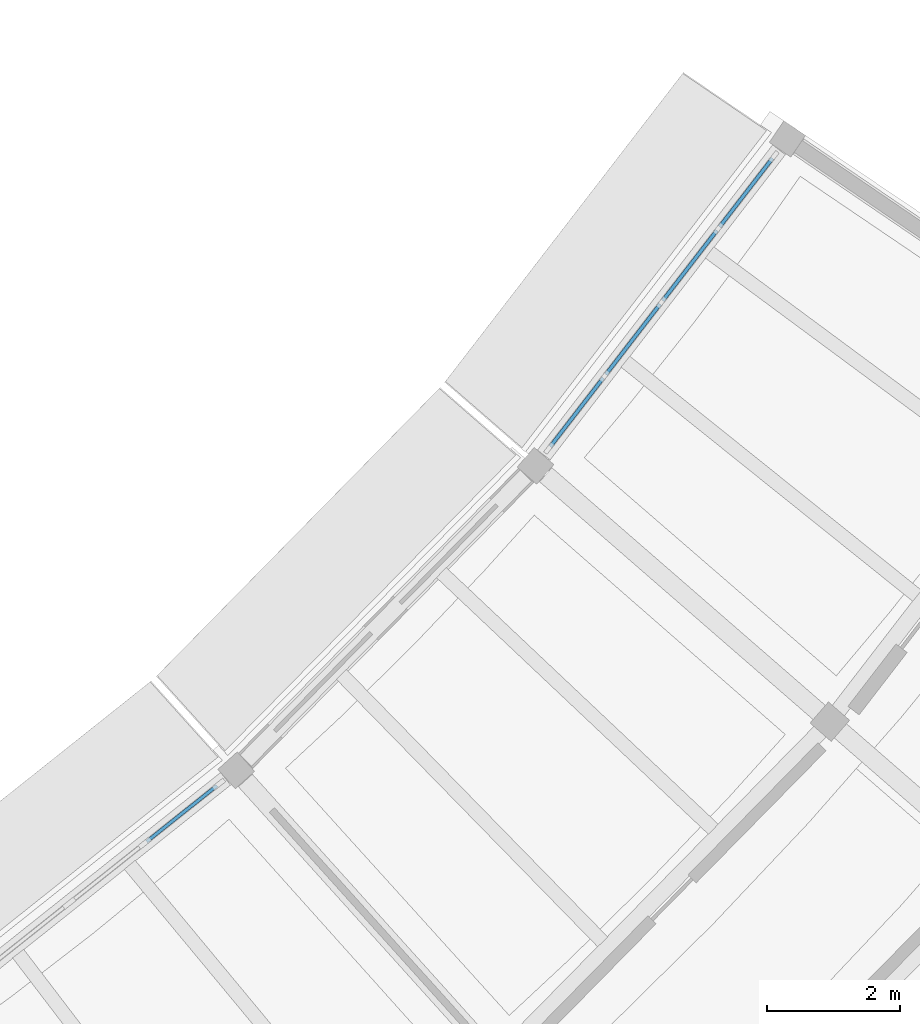
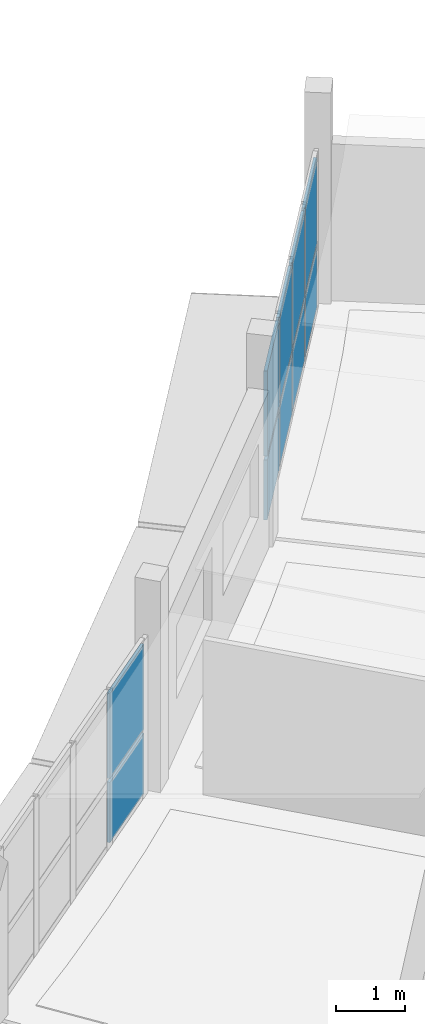
# One storey, part 49 of 77: 10 plates, 2 elements without a shape of their own.
"""IFC4 building model written with IfcOpenShell, lengths in metres."""

from ifc_helpers import new_model, si_unit, direction, frame, origin, origin_2d, place, context, subcontext, project, spatial, rectangle, extrude, material, layer, layer_set, type_object, element, aggregate, save


model = new_model("IFC4")

# Units and contexts
model_context = context("Model", 3, precision=1e-05, world=origin(), true_north=direction((0.0, 1.0)))
body_context = subcontext(model_context, "Body", "Model", "MODEL_VIEW")
ifc_project = project(units=[si_unit("LENGTHUNIT", "METRE"), si_unit("AREAUNIT", "SQUARE_METRE"), si_unit("VOLUMEUNIT", "CUBIC_METRE"), si_unit("PLANEANGLEUNIT", "RADIAN"), si_unit("MASSUNIT", "GRAM", prefix="KILO")], contexts=[model_context])

# Site, building, storey
site_placement = place(None, origin())
site = spatial("IfcSite", under=ifc_project, at=site_placement, CompositionType="ELEMENT")
building_placement = place(site_placement, origin())
building = spatial("IfcBuilding", under=site, at=building_placement, Name="Caldaven Crescent School", CompositionType="ELEMENT")
storey_placement = place(building_placement, frame((0.0, 0.0, 4.419921875)))
storey = spatial("IfcBuildingStorey", under=building, at=storey_placement, Name="L01", CompositionType="ELEMENT", Elevation=4.419921875)

# Curtain wall, plates
ifc_material_1 = material(Name="Anodised aluminium AA 6063-T6 and low-E double glazing", Category="aluminium")
ifc_layer_1 = layer(ifc_material_1, 0.2099609375)
ifc_layer_set_1 = layer_set([ifc_layer_1], Name="Anodised aluminium AA 6063-T6 and low-E double glazing")
curtain_wall_type_1 = type_object("IfcCurtainWallType", Name="CW-SYS3", PredefinedType="NOTDEFINED", material=ifc_layer_set_1)
curtain_wall_1_placement = place(storey_placement, origin())
curtain_wall_1 = element("IfcCurtainWall", 1, at=curtain_wall_1_placement, inside=storey, type_object=curtain_wall_type_1, Name="CW-L01-132", PredefinedType="NOTDEFINED")
ifc_material_2 = material(Name="Tempered low-E double glazing IGU", Category="glass")
ifc_layer_2 = layer(ifc_material_2, 0.050048828125)
ifc_layer_set_2 = layer_set([ifc_layer_2], Name="Tempered low-E double glazing IGU")
plate_type_1 = type_object("IfcPlateType", Name="PLT-CWP13", PredefinedType="CURTAIN_PANEL", material=ifc_layer_set_2)
plate_1_placement = place(storey_placement, frame((122.279541015625, 56.372802734375, 0.06494140625), z_axis=(0.0, 0.0, 1.0), x_axis=(0.782608055493, 0.622514764063, 0.0)))
plate_1 = element("IfcPlate", 2, at=plate_1_placement, type_object=plate_type_1, Name="CW3 panel 4.1", PredefinedType="CURTAIN_PANEL", context=body_context, shape_type="SweptSolid", body=[
    extrude(rectangle(XDim=1.345947265625, YDim=0.050048828125, at=origin_2d()), origin(), (0.0, 0.0, 1.0), 1.070556640625),
])
plate_2_placement = place(storey_placement, frame((122.279541015625, 56.372802734375, 1.20068359375), z_axis=(0.0, 0.0, 1.0), x_axis=(0.782608055493, 0.622514764063, 0.0)))
plate_2 = element("IfcPlate", 3, at=plate_2_placement, type_object=plate_type_1, Name="CW3 panel 4.2", PredefinedType="CURTAIN_PANEL", context=body_context, shape_type="SweptSolid", body=[
    extrude(rectangle(XDim=1.345947265625, YDim=0.050048828125, at=origin_2d()), origin(), (0.0, 0.0, 1.0), 1.514404296875),
])
aggregate(curtain_wall_1, [plate_1, plate_2])

ifc_layer_3 = layer(ifc_material_1, 0.169921875)
ifc_layer_set_3 = layer_set([ifc_layer_3], Name="Anodised aluminium AA 6063-T6 and low-E double glazing")
curtain_wall_type_2 = type_object("IfcCurtainWallType", Name="CW-SYS1", PredefinedType="NOTDEFINED", material=ifc_layer_set_3)
curtain_wall_2_placement = place(storey_placement, origin())
curtain_wall_2 = element("IfcCurtainWall", 4, at=curtain_wall_2_placement, inside=storey, type_object=curtain_wall_type_2, Name="CW-L01-134", PredefinedType="NOTDEFINED")
ifc_layer_4 = layer(ifc_material_2, 0.053955078125)
ifc_layer_set_4 = layer_set([ifc_layer_4], Name="Tempered low-E double glazing IGU")
plate_type_2 = type_object("IfcPlateType", Name="PLT-CWP15", PredefinedType="CURTAIN_PANEL", material=ifc_layer_set_4)
plate_3_placement = place(storey_placement, frame((128.2041015625, 62.3935546875, 0.070068359375), z_axis=(0.0, 0.0, 1.0), x_axis=(0.610386929383, 0.792103400093, 0.0)))
plate_3 = element("IfcPlate", 5, at=plate_3_placement, type_object=plate_type_2, Name="CW1 panel 1.1", PredefinedType="CURTAIN_PANEL", context=body_context, shape_type="SweptSolid", body=[
    extrude(rectangle(XDim=1.2998046875, YDim=0.053955078125, at=origin_2d()), origin(), (0.0, 0.0, 1.0), 1.06298828125),
])
plate_4_placement = place(storey_placement, frame((128.2041015625, 62.3935546875, 1.203125), z_axis=(0.0, 0.0, 1.0), x_axis=(0.610386929383, 0.792103400093, 0.0)))
plate_4 = element("IfcPlate", 6, at=plate_4_placement, type_object=plate_type_2, Name="CW1 panel 1.2", PredefinedType="CURTAIN_PANEL", context=body_context, shape_type="SweptSolid", body=[
    extrude(rectangle(XDim=1.2998046875, YDim=0.053955078125, at=origin_2d()), origin(), (0.0, 0.0, 1.0), 1.507080078125),
])
plate_5_placement = place(storey_placement, frame((129.047119140625, 63.487548828125, 0.070068359375), z_axis=(0.0, 0.0, 1.0), x_axis=(0.610386929383, 0.792103400093, 0.0)))
plate_5 = element("IfcPlate", 7, at=plate_5_placement, type_object=plate_type_2, Name="CW1 panel 2.1", PredefinedType="CURTAIN_PANEL", context=body_context, shape_type="SweptSolid", body=[
    extrude(rectangle(XDim=1.332275390625, YDim=0.053955078125, at=origin_2d()), origin(), (0.0, 0.0, 1.0), 1.06298828125),
])
plate_6_placement = place(storey_placement, frame((129.047119140625, 63.487548828125, 1.203125), z_axis=(0.0, 0.0, 1.0), x_axis=(0.610386929383, 0.792103400093, 0.0)))
plate_6 = element("IfcPlate", 8, at=plate_6_placement, type_object=plate_type_2, Name="CW1 panel 2.2", PredefinedType="CURTAIN_PANEL", context=body_context, shape_type="SweptSolid", body=[
    extrude(rectangle(XDim=1.332275390625, YDim=0.053955078125, at=origin_2d()), origin(), (0.0, 0.0, 1.0), 1.507080078125),
])
plate_7_placement = place(storey_placement, frame((129.89990234375, 64.594482421875, 0.070068359375), z_axis=(0.0, 0.0, 1.0), x_axis=(0.610386929383, 0.792103400093, 0.0)))
plate_7 = element("IfcPlate", 9, at=plate_7_placement, type_object=plate_type_2, Name="CW1 panel 3.1", PredefinedType="CURTAIN_PANEL", context=body_context, shape_type="SweptSolid", body=[
    extrude(rectangle(XDim=1.332275390625, YDim=0.053955078125, at=origin_2d()), origin(), (0.0, 0.0, 1.0), 1.06298828125),
])
plate_8_placement = place(storey_placement, frame((129.89990234375, 64.594482421875, 1.203125), z_axis=(0.0, 0.0, 1.0), x_axis=(0.610386929383, 0.792103400093, 0.0)))
plate_8 = element("IfcPlate", 10, at=plate_8_placement, type_object=plate_type_2, Name="CW1 panel 3.2", PredefinedType="CURTAIN_PANEL", context=body_context, shape_type="SweptSolid", body=[
    extrude(rectangle(XDim=1.332275390625, YDim=0.053955078125, at=origin_2d()), origin(), (0.0, 0.0, 1.0), 1.507080078125),
])
plate_9_placement = place(storey_placement, frame((130.742919921875, 65.6884765625, 0.070068359375), z_axis=(0.0, 0.0, 1.0), x_axis=(0.610386929383, 0.792103400093, 0.0)))
plate_9 = element("IfcPlate", 11, at=plate_9_placement, type_object=plate_type_2, Name="CW1 panel 4.1", PredefinedType="CURTAIN_PANEL", context=body_context, shape_type="SweptSolid", body=[
    extrude(rectangle(XDim=1.2998046875, YDim=0.053955078125, at=origin_2d()), origin(), (0.0, 0.0, 1.0), 1.06298828125),
])
plate_10_placement = place(storey_placement, frame((130.742919921875, 65.6884765625, 1.203125), z_axis=(0.0, 0.0, 1.0), x_axis=(0.610386929383, 0.792103400093, 0.0)))
plate_10 = element("IfcPlate", 12, at=plate_10_placement, type_object=plate_type_2, Name="CW1 panel 4.2", PredefinedType="CURTAIN_PANEL", context=body_context, shape_type="SweptSolid", body=[
    extrude(rectangle(XDim=1.2998046875, YDim=0.053955078125, at=origin_2d()), origin(), (0.0, 0.0, 1.0), 1.507080078125),
])
aggregate(curtain_wall_2, [plate_3, plate_4, plate_5, plate_6, plate_7, plate_8, plate_9, plate_10])

save(model, "model.ifc")
